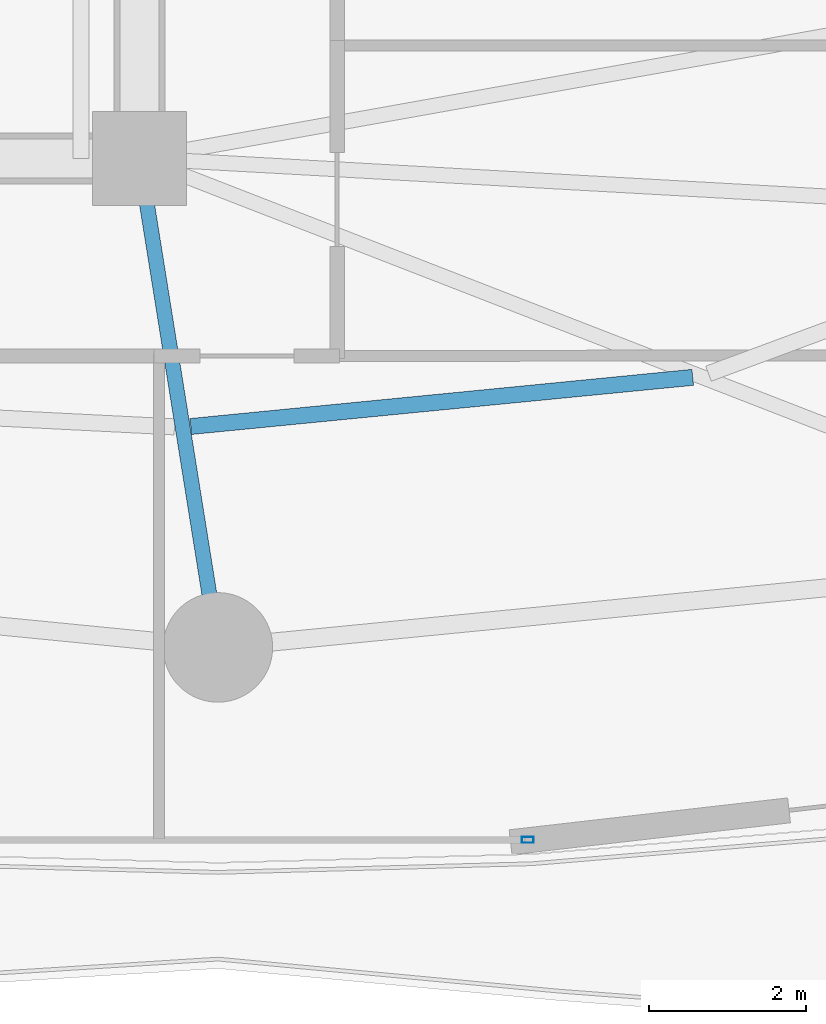
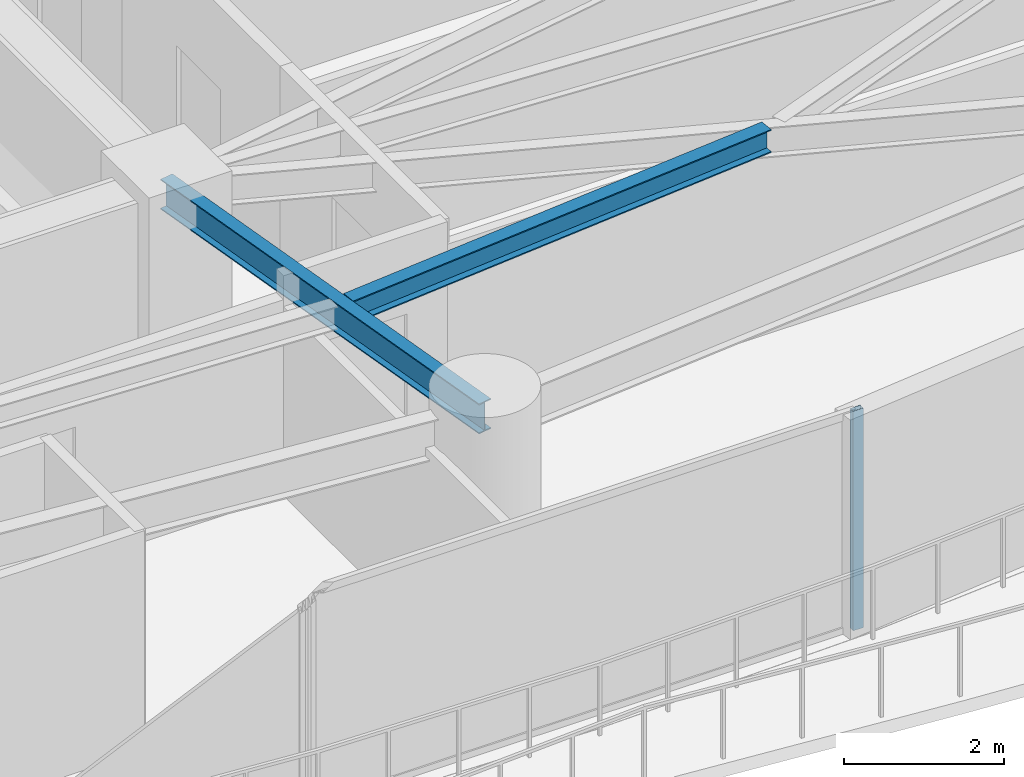
# One storey, part 10 of 33: 2 beams, 1 member, 1 element without a shape of its own.
"""IFC4 building model written with IfcOpenShell, lengths in metres."""

import ifcopenshell
import ifcopenshell.guid

model = None  # the IFC model being written
_history = None  # IfcOwnerHistory: only IFC2X3 demands one
_inside = {}  # id of a spatial element -> (the spatial element, [elements in it])
_under = {}  # id of a project, library or spatial element -> (it, [spatial elements below it])
_declared = {}  # id of a project -> (the project, [libraries it declares])
_typed = {}  # id of a type object -> (the type object, [elements of that type])
_made_of = {}  # id of a material, layer set ... -> (it, [elements and type objects made of it])


def new_model(schema):
    """Start an empty IFC model of exactly this schema.

    Asked for "IFC4X3", IfcOpenShell would pick the latest addendum, in which some entities
    have other attributes; the version numbers below select the first issue.
    IFC2X3 requires an IfcOwnerHistory on every rooted entity: one is made here for all.
    """
    global model, _history
    if schema == "IFC4X3":
        model = ifcopenshell.file(schema_version=(4, 3, 0, 0))
    else:
        model = ifcopenshell.file(schema=schema)
    _inside.clear()
    _under.clear()
    _declared.clear()
    _typed.clear()
    _made_of.clear()
    _history = None
    if model.schema == "IFC2X3":
        org = make("IfcOrganization", Name="unknown")
        user = make(
            "IfcPersonAndOrganization",
            ThePerson=make("IfcPerson", FamilyName="unknown"),
            TheOrganization=org,
        )
        app = make(
            "IfcApplication",
            ApplicationDeveloper=org,
            Version="unknown",
            ApplicationFullName="unknown",
            ApplicationIdentifier="unknown",
        )
        _history = make(
            "IfcOwnerHistory",
            OwningUser=user,
            OwningApplication=app,
            ChangeAction="ADDED",
            CreationDate=0,
        )
    return model


def make(cls, **values):
    """One entity of the class cls with the attributes given. An attribute that is None is left unset."""
    return model.create_entity(
        cls, **{name: value for name, value in values.items() if value is not None}
    )


def rooted(cls, **values):
    """An entity with a GlobalId (a new one), such as an element, a storey or a relation."""
    return make(cls, GlobalId=ifcopenshell.guid.new(), OwnerHistory=_history, **values)


def si_unit(unit_type, name, prefix=None):
    """IfcSIUnit, for example si_unit("LENGTHUNIT", "METRE", prefix="MILLI")."""
    return make("IfcSIUnit", UnitType=unit_type, Prefix=prefix, Name=name)


def assignment(units):
    """IfcUnitAssignment: the units of a project."""
    return None if units is None else make("IfcUnitAssignment", Units=units)


def point(xyz):
    """IfcCartesianPoint."""
    return None if xyz is None else make("IfcCartesianPoint", Coordinates=xyz)


def direction(xyz):
    """IfcDirection."""
    return None if xyz is None else make("IfcDirection", DirectionRatios=xyz)


def frame(location, z_axis=None, x_axis=None):
    """IfcAxis2Placement3D, a coordinate frame: its origin and axes. An axis left out is left unset."""
    return make(
        "IfcAxis2Placement3D",
        Location=point(location),
        Axis=direction(z_axis),
        RefDirection=direction(x_axis),
    )


def frame_2d(location, x_axis=None):
    """IfcAxis2Placement2D, a coordinate frame in the plane: its origin and x axis."""
    return make(
        "IfcAxis2Placement2D", Location=point(location), RefDirection=direction(x_axis)
    )


def origin():
    """The frame at (0, 0, 0) with its axes left unset."""
    return frame((0.0, 0.0, 0.0))


def origin_2d():
    """The frame at (0, 0) in the plane with its x axis left unset."""
    return frame_2d((0.0, 0.0))


def place(relative_to, where):
    """IfcLocalPlacement: puts the frame where relative to a parent placement (None: the world)."""
    return make(
        "IfcLocalPlacement", PlacementRelTo=relative_to, RelativePlacement=where
    )


def context(
    kind, dimensions, precision=None, world=None, true_north=None, identifier=None
):
    """IfcGeometricRepresentationContext, for example the 3D "Model" context."""
    return make(
        "IfcGeometricRepresentationContext",
        ContextIdentifier=identifier,
        ContextType=kind,
        CoordinateSpaceDimension=dimensions,
        Precision=precision,
        WorldCoordinateSystem=world,
        TrueNorth=true_north,
    )


def subcontext(parent, identifier, kind, view, scale=None):
    """IfcGeometricRepresentationSubContext, for example "Body" below "Model"."""
    return make(
        "IfcGeometricRepresentationSubContext",
        ContextIdentifier=identifier,
        ContextType=kind,
        ParentContext=parent,
        TargetScale=scale,
        TargetView=view,
    )


def project(units=None, contexts=None):
    """IfcProject with its units and contexts."""
    return rooted(
        "IfcProject",
        Name="project",
        RepresentationContexts=contexts,
        UnitsInContext=assignment(units),
    )


def spatial(cls, under=None, at=None, **own):
    """A site, building, storey or space (cls), placed at a placement, below another one or the project."""
    s = rooted(cls, ObjectPlacement=at, **own)
    if under is not None:
        _under.setdefault(under.id(), (under, []))[1].append(s)
    return s


def profile(cls, at=None, kind="AREA", **sizes):
    """A parametric profile (cls). Its sizes go by their IFC names, for example OverallWidth=200.0."""
    return make(cls, ProfileType=kind, Position=at, **sizes)


def hollow_rectangle(**sizes):
    """IfcRectangleHollowProfileDef."""
    return profile("IfcRectangleHollowProfileDef", **sizes)


def i_section(**sizes):
    """IfcIShapeProfileDef."""
    return profile("IfcIShapeProfileDef", **sizes)


def extrude(swept, where, along, depth):
    """IfcExtrudedAreaSolid: the profile swept, set in the frame where, extruded along a direction by depth."""
    return make(
        "IfcExtrudedAreaSolid",
        SweptArea=swept,
        Position=where,
        ExtrudedDirection=direction(along),
        Depth=depth,
    )


def shape(context_of_items, identifier, shape_type, items):
    """IfcShapeRepresentation: the items that make up one representation, for example the "Body"."""
    return make(
        "IfcShapeRepresentation",
        ContextOfItems=context_of_items,
        RepresentationIdentifier=identifier,
        RepresentationType=shape_type,
        Items=items,
    )


def material(Name=None, Category=None):
    """IfcMaterial."""
    return make("IfcMaterial", Name=Name, Category=Category)


def layer(
    of_material, thickness, ventilated=None, Name=None, Category=None, Priority=None
):
    """IfcMaterialLayer: one layer of a wall or slab, of a material (None: an air gap)."""
    return make(
        "IfcMaterialLayer",
        Material=of_material,
        LayerThickness=thickness,
        IsVentilated=ventilated,
        Name=Name,
        Category=Category,
        Priority=Priority,
    )


def layer_set(layers, Name=None):
    """IfcMaterialLayerSet."""
    return make("IfcMaterialLayerSet", MaterialLayers=layers, LayerSetName=Name)


def material_profile(
    of_material, cross_section, Name=None, Category=None, Priority=None
):
    """IfcMaterialProfile: a cross section and its material."""
    return make(
        "IfcMaterialProfile",
        Name=Name,
        Material=of_material,
        Profile=cross_section,
        Priority=Priority,
        Category=Category,
    )


def profile_set(profiles, Name=None, composite=None):
    """IfcMaterialProfileSet."""
    return make(
        "IfcMaterialProfileSet",
        Name=Name,
        MaterialProfiles=profiles,
        CompositeProfile=composite,
    )


def made_of(thing, what):
    """Note that an element or type object is made of a material, layer set ...; save() writes the relation."""
    if what is not None:
        _made_of.setdefault(what.id(), (what, []))[1].append(thing)
    return thing


def type_object(cls, material=None, **own):
    """A type object (cls), such as IfcWallType, which elements share."""
    return made_of(rooted(cls, **own), material)


def element(
    cls,
    number,
    at=None,
    inside=None,
    cuts=None,
    type_object=None,
    material=None,
    context=None,
    identifier="Body",
    shape_type=None,
    held_by="IfcProductDefinitionShape",
    body=None,
    shapes=None,
    **own,
):
    """One element of the class cls, such as IfcWall. Its Tag is "e" and its number.

    at: its placement. inside: the storey or other place that contains it. cuts: it is an
    opening in that element (IfcRelVoidsElement). A single representation is given by context,
    identifier, shape_type and body (its items); several are given by shapes. held_by: the class
    of the entity that holds the representations. save() writes the other relations.
    """
    e = rooted(cls, Tag="e%d" % number, ObjectPlacement=at, **own)
    if body is not None:
        shapes = [shape(context, identifier, shape_type, body)]
    if shapes is not None:
        e.Representation = make(held_by, Representations=shapes)
    if inside is not None:
        _inside.setdefault(inside.id(), (inside, []))[1].append(e)
    if cuts is not None:
        rooted(
            "IfcRelVoidsElement", RelatingBuildingElement=cuts, RelatedOpeningElement=e
        )
    if type_object is not None:
        _typed.setdefault(type_object.id(), (type_object, []))[1].append(e)
    return made_of(e, material)


def aggregate(whole, parts):
    """IfcRelAggregates: a whole, such as a stair, and the parts it consists of."""
    return rooted("IfcRelAggregates", RelatingObject=whole, RelatedObjects=parts)


def save(model, path):
    """Write the relations noted so far, then the file.

    IfcRelAggregates (storeys below a building ...), IfcRelContainedInSpatialStructure (elements
    in a storey), IfcRelDefinesByType, IfcRelAssociatesMaterial and IfcRelDeclares: one each for
    every whole, place, type object, material and project.
    """
    for whole, parts in _under.values():
        aggregate(whole, parts)
    for where, things in _inside.values():
        rooted(
            "IfcRelContainedInSpatialStructure",
            RelatedElements=things,
            RelatingStructure=where,
        )
    for kind, things in _typed.values():
        rooted("IfcRelDefinesByType", RelatedObjects=things, RelatingType=kind)
    for what, things in _made_of.values():
        rooted("IfcRelAssociatesMaterial", RelatedObjects=things, RelatingMaterial=what)
    for by, libraries in _declared.values():
        rooted("IfcRelDeclares", RelatingContext=by, RelatedDefinitions=libraries)
    model.write(path)


model = new_model("IFC4")

# Units and contexts
model_context = context("Model", 3, precision=1e-05, world=origin(), true_north=direction((0.0, 1.0)))
body_context = subcontext(model_context, "Body", "Model", "MODEL_VIEW")
ifc_project = project(units=[si_unit("LENGTHUNIT", "METRE"), si_unit("AREAUNIT", "SQUARE_METRE"), si_unit("VOLUMEUNIT", "CUBIC_METRE"), si_unit("PLANEANGLEUNIT", "RADIAN"), si_unit("MASSUNIT", "GRAM", prefix="KILO")], contexts=[model_context])

# Site, building, storey
site_placement = place(None, origin())
site = spatial("IfcSite", under=ifc_project, at=site_placement, CompositionType="ELEMENT")
building_placement = place(site_placement, origin())
building = spatial("IfcBuilding", under=site, at=building_placement, Name="Kazevale Care Tower and Concert Hall", CompositionType="ELEMENT")
storey_placement = place(building_placement, frame((0.0, 0.0, 45.60009765625)))
storey = spatial("IfcBuildingStorey", under=building, at=storey_placement, Name="L11", CompositionType="ELEMENT", Elevation=45.60009765625)

# Curtain wall, member
ifc_material_1 = material(Name="Aluminium 6063-T6 and Low-E Glass", Category="aluminium")
ifc_layer = layer(ifc_material_1, 0.179931640625)
ifc_layer_set = layer_set([ifc_layer], Name="Aluminium 6063-T6 and Low-E Glass")
curtain_wall_type = type_object("IfcCurtainWallType", Name="Sheltered Concave Balcony Curtain Wall CW-5", PredefinedType="NOTDEFINED", material=ifc_layer_set)
curtain_wall_placement = place(storey_placement, origin())
curtain_wall = element("IfcCurtainWall", 1, at=curtain_wall_placement, inside=storey, type_object=curtain_wall_type, Name="cw:L11:f06", PredefinedType="NOTDEFINED")
ifc_material_2 = material(Name="Aluminium 6063-T6", Category="aluminium")
ifc_material_profile_1 = material_profile(ifc_material_2, hollow_rectangle(XDim=0.074951171875, YDim=0.14990234375, WallThickness=0.00390625, at=origin_2d()), Name="ALU75x150x4")
ifc_profile_set_1 = profile_set([ifc_material_profile_1], Name="Aluminium 6063-T6")
member_type = type_object("IfcMemberType", Name="CW-5 Mullion ALU75x150x4", PredefinedType="MULLION", material=ifc_profile_set_1)
member_placement = place(storey_placement, frame((48.96044921875, 14.889892578125, 0.0), z_axis=(0.0, 0.0, 1.0), x_axis=(0.0, -1.0, 0.0)))
member = element("IfcMember", 2, at=member_placement, type_object=member_type, Name="CW-5 mullion 1", PredefinedType="MULLION", context=body_context, shape_type="SweptSolid", body=[
    extrude(hollow_rectangle(XDim=0.074951171875, YDim=0.14990234375, WallThickness=0.00390625, at=origin_2d()), origin(), (0.0, 0.0, 1.0), 3.35986328125),
])
aggregate(curtain_wall, [member])

# Beams
ifc_material_3 = material(Name="Steel ASTM A572 Gr 50", Category="steel")
ifc_material_profile_2 = material_profile(ifc_material_3, i_section(OverallWidth=0.19091796875, OverallDepth=0.4599609375, WebThickness=0.010009765625, FlangeThickness=0.01611328125, at=origin_2d()), Name="W460x82")
ifc_profile_set_2 = profile_set([ifc_material_profile_2], Name="Steel ASTM A572 Gr 50")
beam_type_1 = type_object("IfcBeamType", Name="Radial Floor Beam W460x82", PredefinedType="BEAM", material=ifc_profile_set_2)
beam_1_placement = place(storey_placement, frame((44.0, 23.60009765625, 3.1298828125), z_axis=(0.157990501107, -0.987440631917, 0.0), x_axis=(0.987440631917, 0.157990501107, 0.0)))
element("IfcBeam", 3, at=beam_1_placement, inside=storey, type_object=beam_type_1, Name="beam:L11:rad:13", PredefinedType="BEAM", context=body_context, shape_type="SweptSolid", body=[
    extrude(i_section(OverallWidth=0.19091796875, OverallDepth=0.4599609375, WebThickness=0.010009765625, FlangeThickness=0.01611328125, at=origin_2d()), origin(), (0.0, 0.0, 1.0), 6.32958984375),
])
ifc_material_profile_3 = material_profile(ifc_material_3, i_section(OverallWidth=0.205078125, OverallDepth=0.35400390625, WebThickness=0.009521484375, FlangeThickness=0.016845703125, at=origin_2d()), Name="W360x79")
ifc_profile_set_3 = profile_set([ifc_material_profile_3], Name="Steel ASTM A572 Gr 50")
beam_type_2 = type_object("IfcBeamType", Name="Secondary Floor Joist W360x79", PredefinedType="JOIST", material=ifc_profile_set_3)
beam_2_placement = place(storey_placement, frame((44.654052734375, 20.173095703125, 3.182861328125), z_axis=(0.995242075791, 0.097433108212, 0.0), x_axis=(-0.097433108212, 0.995242075791, 0.0)))
element("IfcBeam", 4, at=beam_2_placement, inside=storey, type_object=beam_type_2, Name="beam:L11:joist:13", PredefinedType="JOIST", context=body_context, shape_type="SweptSolid", body=[
    extrude(i_section(OverallWidth=0.205078125, OverallDepth=0.35400390625, WebThickness=0.009521484375, FlangeThickness=0.016845703125, at=origin_2d()), origin(), (0.0, 0.0, 1.0), 6.44482421875),
])

save(model, "model.ifc")
